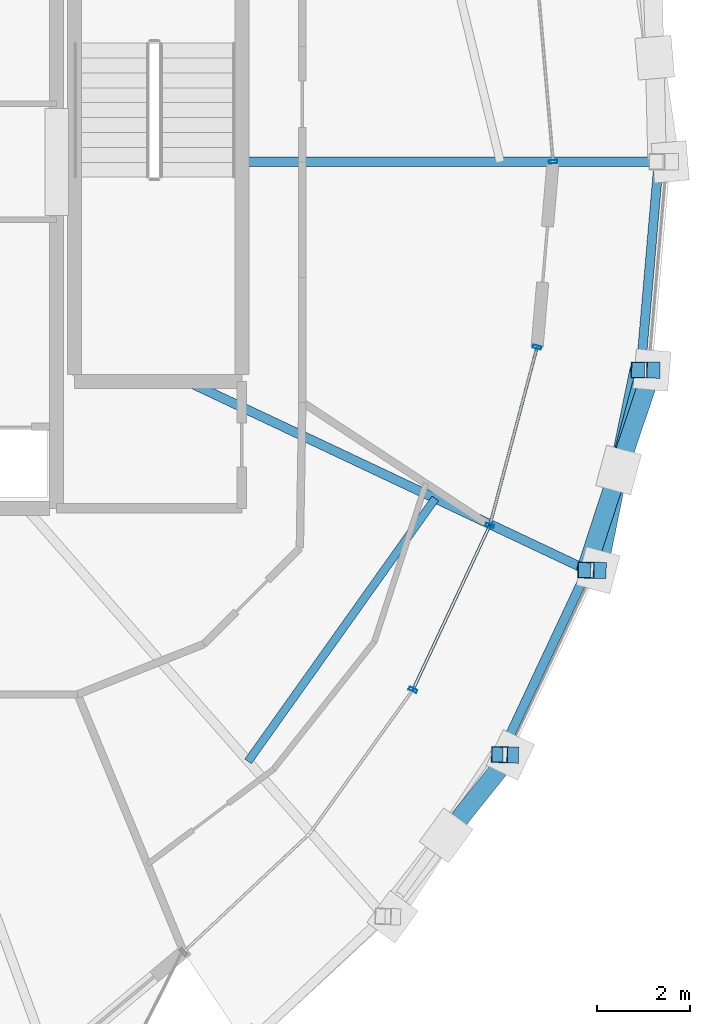
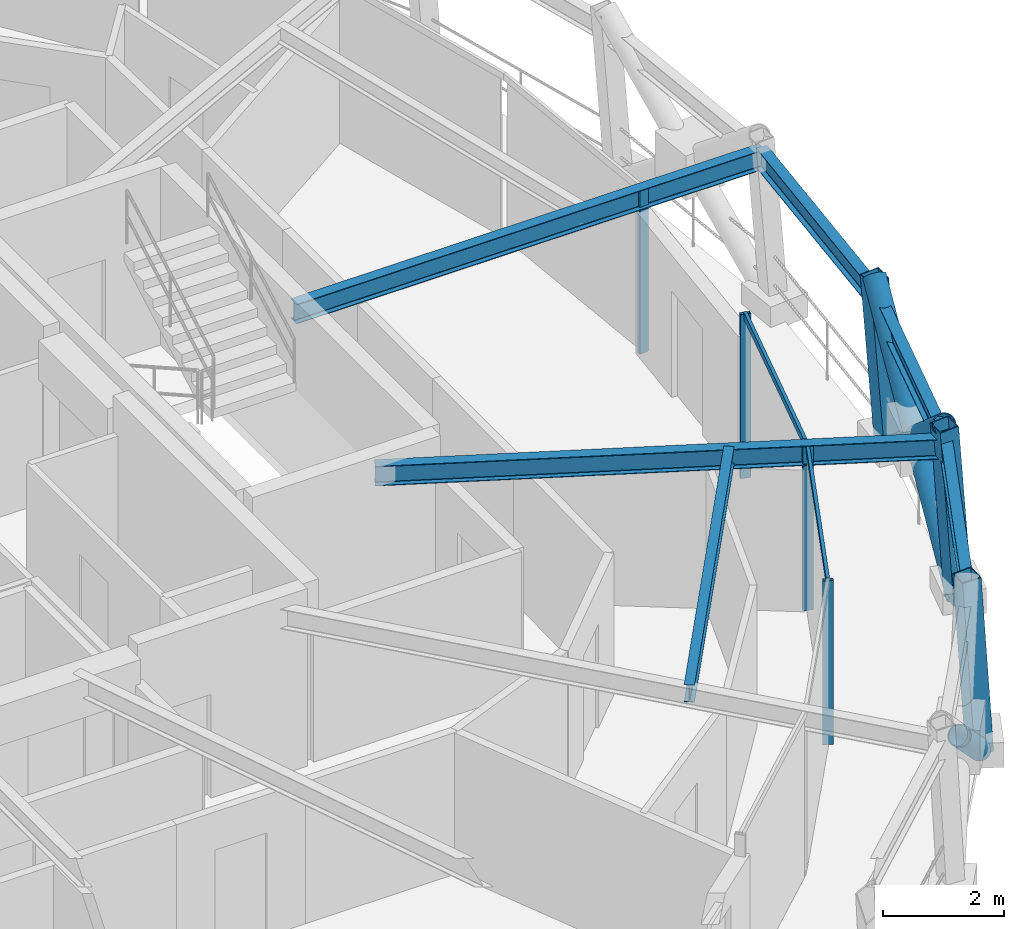
# One storey, part 4 of 16: 13 members, 6 beams, 2 elements without a shape of their own.
"""IFC4 building model written with IfcOpenShell, lengths in metres."""

from ifc_helpers import new_model, si_unit, direction, frame, origin, origin_2d, place, context, subcontext, project, spatial, hollow_rectangle, hollow_circle, i_section, extrude, material, layer, layer_set, material_profile, profile_set, type_object, element, aggregate, save


model = new_model("IFC4")

# Units and contexts
model_context = context("Model", 3, precision=1e-05, world=origin(), true_north=direction((0.0, 1.0)))
body_context = subcontext(model_context, "Body", "Model", "MODEL_VIEW")
ifc_project = project(units=[si_unit("LENGTHUNIT", "METRE"), si_unit("AREAUNIT", "SQUARE_METRE"), si_unit("VOLUMEUNIT", "CUBIC_METRE"), si_unit("PLANEANGLEUNIT", "RADIAN"), si_unit("MASSUNIT", "GRAM", prefix="KILO")], contexts=[model_context])

# Site, building, storey
site_placement = place(None, origin())
site = spatial("IfcSite", under=ifc_project, at=site_placement, CompositionType="ELEMENT")
building_placement = place(site_placement, origin())
building = spatial("IfcBuilding", under=site, at=building_placement, Name="Veldorina Hangang Commons", CompositionType="ELEMENT")
storey_placement = place(building_placement, frame((0.0, 0.0, 283.199951171875)))
storey = spatial("IfcBuildingStorey", under=building, at=storey_placement, Name="L74", CompositionType="ELEMENT", Elevation=283.199951171875)

# Beams
ifc_material_1 = material(Name="Steel SM355-TMC", Category="steel")
ifc_material_profile_1 = material_profile(ifc_material_1, i_section(OverallWidth=0.199951171875, OverallDepth=0.39990234375, WebThickness=0.008056640625, FlangeThickness=0.012939453125, FilletRadius=0.012939453125, at=origin_2d()), Name="H-400x200x8x13")
ifc_profile_set_1 = profile_set([ifc_material_profile_1], Name="Steel SM355-TMC")
beam_type_1 = type_object("IfcBeamType", Name="BM-FG400", PredefinedType="BEAM", material=ifc_profile_set_1)
beam_1_placement = place(storey_placement, frame((43.179931640625, 24.0, 3.16015625), z_axis=(1.0, 0.0, 0.0), x_axis=(0.0, 1.0, 0.0)))
element("IfcBeam", 1, at=beam_1_placement, inside=storey, type_object=beam_type_1, Name="L74 radial floor girder 01", PredefinedType="BEAM", context=body_context, shape_type="SweptSolid", body=[
    extrude(i_section(OverallWidth=0.199951171875, OverallDepth=0.39990234375, WebThickness=0.008056640625, FlangeThickness=0.012939453125, FilletRadius=0.012939453125, at=origin_2d()), origin(), (0.0, 0.0, 1.0), 8.960693359375),
])
beam_2_placement = place(storey_placement, frame((42.00537109375, 19.280029296875, 3.16015625), z_axis=(0.904409914249, -0.426664630603, 0.0), x_axis=(0.426664630603, 0.904409914249, 0.0)))
element("IfcBeam", 2, at=beam_2_placement, inside=storey, type_object=beam_type_1, Name="L74 radial floor girder 16", PredefinedType="BEAM", context=body_context, shape_type="SweptSolid", body=[
    extrude(i_section(OverallWidth=0.199951171875, OverallDepth=0.39990234375, WebThickness=0.008056640625, FlangeThickness=0.012939453125, FilletRadius=0.012939453125, at=origin_2d()), origin(), (0.0, 0.0, 1.0), 9.51123046875),
])
ifc_material_profile_2 = material_profile(ifc_material_1, i_section(OverallWidth=0.175048828125, OverallDepth=0.35009765625, WebThickness=0.007080078125, FlangeThickness=0.010986328125, FilletRadius=0.012939453125, at=origin_2d()), Name="H-350x175x7x11")
ifc_profile_set_2 = profile_set([ifc_material_profile_2], Name="Steel SM355-TMC")
beam_type_2 = type_object("IfcBeamType", Name="BM-JST350", PredefinedType="JOIST", material=ifc_profile_set_2)
beam_3_placement = place(storey_placement, frame((43.3154296875, 11.11279296875, 3.18505859375), z_axis=(0.579965735576, 0.814640869069, 0.0), x_axis=(-0.814640869069, 0.579965735576, 0.0)))
element("IfcBeam", 3, at=beam_3_placement, inside=storey, type_object=beam_type_2, Name="L74 secondary floor joist 15", PredefinedType="JOIST", context=body_context, shape_type="SweptSolid", body=[
    extrude(i_section(OverallWidth=0.175048828125, OverallDepth=0.35009765625, WebThickness=0.007080078125, FlangeThickness=0.010986328125, FilletRadius=0.012939453125, at=origin_2d()), origin(), (0.0, 0.0, 1.0), 6.93701171875),
])
ifc_material_profile_3 = material_profile(ifc_material_1, i_section(OverallWidth=0.199951171875, OverallDepth=0.39990234375, WebThickness=0.008056640625, FlangeThickness=0.012939453125, FilletRadius=0.012939453125, at=origin_2d()), Name="H-400x200x8x13")
ifc_profile_set_3 = profile_set([ifc_material_profile_3], Name="Steel SM355-TMC")
beam_type_3 = type_object("IfcBeamType", Name="BM-RB400", PredefinedType="BEAM", material=ifc_profile_set_3)
beam_4_placement = place(storey_placement, frame((48.74609375, 11.25634765625, 3.16015625), z_axis=(0.424895020661, 0.905242631242, 0.0), x_axis=(-0.905242631242, 0.424895020661, 0.0)))
element("IfcBeam", 4, at=beam_4_placement, inside=storey, type_object=beam_type_3, Name="L74 perimeter hoop ring beam 29", PredefinedType="BEAM", context=body_context, shape_type="SweptSolid", body=[
    extrude(i_section(OverallWidth=0.199951171875, OverallDepth=0.39990234375, WebThickness=0.008056640625, FlangeThickness=0.012939453125, FilletRadius=0.012939453125, at=origin_2d()), origin(), (0.0, 0.0, 1.0), 4.380615234375),
])
beam_5_placement = place(storey_placement, frame((50.607421875, 15.221923828125, 3.16015625), z_axis=(0.257406712374, 0.96630315348, 0.0), x_axis=(-0.96630315348, 0.257406712374, 0.0)))
element("IfcBeam", 5, at=beam_5_placement, inside=storey, type_object=beam_type_3, Name="L74 perimeter hoop ring beam 30", PredefinedType="BEAM", context=body_context, shape_type="SweptSolid", body=[
    extrude(i_section(OverallWidth=0.199951171875, OverallDepth=0.39990234375, WebThickness=0.008056640625, FlangeThickness=0.012939453125, FilletRadius=0.012939453125, at=origin_2d()), origin(), (0.0, 0.0, 1.0), 4.453125),
])
beam_6_placement = place(storey_placement, frame((51.753662109375, 19.52490234375, 3.16015625), z_axis=(0.086148795237, 0.996282281825, 0.0), x_axis=(-0.996282281825, 0.086148795237, 0.0)))
element("IfcBeam", 6, at=beam_6_placement, inside=storey, type_object=beam_type_3, Name="L74 perimeter hoop ring beam 31", PredefinedType="BEAM", context=body_context, shape_type="SweptSolid", body=[
    extrude(i_section(OverallWidth=0.199951171875, OverallDepth=0.39990234375, WebThickness=0.008056640625, FlangeThickness=0.012939453125, FilletRadius=0.012939453125, at=origin_2d()), origin(), (0.0, 0.0, 1.0), 4.49169921875),
])

# Curtain wall, member
ifc_material_2 = material(Name="Glass Low-E Selective", Category="glass")
ifc_layer = layer(ifc_material_2, 0.179931640625)
ifc_layer_set = layer_set([ifc_layer], Name="Glass Low-E Selective")
curtain_wall_type = type_object("IfcCurtainWallType", Name="CW-SYS-Z3", PredefinedType="NOTDEFINED", material=ifc_layer_set)
curtain_wall_1_placement = place(storey_placement, origin())
curtain_wall_1 = element("IfcCurtainWall", 7, at=curtain_wall_1_placement, inside=storey, type_object=curtain_wall_type, Name="L74 unitised curtain wall CW-L74-R1", PredefinedType="NOTDEFINED")
ifc_material_3 = material(Name="Aluminium Anodized AA6063-T6", Category="aluminium")
ifc_material_profile_4 = material_profile(ifc_material_3, hollow_rectangle(XDim=0.070068359375, YDim=0.179931640625, WallThickness=0.00390625, at=origin_2d()), Name="ALU-RHS-180x70x4")
ifc_profile_set_4 = profile_set([ifc_material_profile_4], Name="Aluminium Anodized AA6063-T6")
member_type_1 = type_object("IfcMemberType", Name="CW-MUL-180", PredefinedType="MULLION", material=ifc_profile_set_4)
member_1_placement = place(storey_placement, frame((49.86962890625, 24.0, 0.0), z_axis=(0.0, 0.0, 1.0), x_axis=(-0.08585165264, 0.996307931183, 0.0)))
member_1 = element("IfcMember", 8, at=member_1_placement, type_object=member_type_1, Name="CW-L74-R1 vertical mullion 1", PredefinedType="MULLION", context=body_context, shape_type="SweptSolid", body=[
    extrude(hollow_rectangle(XDim=0.070068359375, YDim=0.179931640625, WallThickness=0.00390625, at=origin_2d()), origin(), (0.0, 0.0, 1.0), 3.320068359375),
])
aggregate(curtain_wall_1, [member_1])

# Curtain wall, members
curtain_wall_2_placement = place(storey_placement, origin())
curtain_wall_2 = element("IfcCurtainWall", 9, at=curtain_wall_2_placement, inside=storey, type_object=curtain_wall_type, Name="L74 unitised curtain wall CW-L74-R2", PredefinedType="NOTDEFINED")
member_2_placement = place(storey_placement, frame((46.858154296875, 12.650390625, 0.0), z_axis=(0.0, 0.0, 1.0), x_axis=(0.42355130275, 0.905872117873, 0.0)))
member_2 = element("IfcMember", 10, at=member_2_placement, type_object=member_type_1, Name="CW-L74-R2 vertical mullion 2", PredefinedType="MULLION", context=body_context, shape_type="SweptSolid", body=[
    extrude(hollow_rectangle(XDim=0.070068359375, YDim=0.179931640625, WallThickness=0.00390625, at=origin_2d()), origin(), (0.0, 0.0, 1.0), 3.320068359375),
])
member_3_placement = place(storey_placement, frame((48.509521484375, 16.182373046875, 0.0), z_axis=(0.0, 0.0, 1.0), x_axis=(0.256458072772, 0.966555356361, 0.0)))
member_3 = element("IfcMember", 11, at=member_3_placement, type_object=member_type_1, Name="CW-L74-R2 vertical mullion 3", PredefinedType="MULLION", context=body_context, shape_type="SweptSolid", body=[
    extrude(hollow_rectangle(XDim=0.070068359375, YDim=0.179931640625, WallThickness=0.00390625, at=origin_2d()), origin(), (0.0, 0.0, 1.0), 3.320068359375),
])
member_4_placement = place(storey_placement, frame((49.5263671875, 20.0146484375, 0.0), z_axis=(0.0, 0.0, 1.0), x_axis=(-0.256458072772, -0.966555356361, 0.0)))
member_4 = element("IfcMember", 12, at=member_4_placement, type_object=member_type_1, Name="CW-L74-R2 vertical mullion 4", PredefinedType="MULLION", context=body_context, shape_type="SweptSolid", body=[
    extrude(hollow_rectangle(XDim=0.070068359375, YDim=0.179931640625, WallThickness=0.00390625, at=origin_2d()), origin(), (0.0, 0.0, 1.0), 3.320068359375),
])
ifc_material_profile_5 = material_profile(ifc_material_3, hollow_rectangle(XDim=0.06005859375, YDim=0.139892578125, WallThickness=0.00341796875, at=origin_2d()), Name="ALU-RHS-140x60x3.5")
ifc_profile_set_5 = profile_set([ifc_material_profile_5], Name="Aluminium Anodized AA6063-T6")
member_type_2 = type_object("IfcMemberType", Name="CW-TRN-140", PredefinedType="USERDEFINED", material=ifc_profile_set_5)
member_5_placement = place(storey_placement, frame((46.858154296875, 12.650390625, 3.280029296875), z_axis=(0.423540089093, 0.905877360867, 0.0), x_axis=(-0.905877360867, 0.423540089093, 0.0)))
member_5 = element("IfcMember", 13, at=member_5_placement, type_object=member_type_2, Name="CW-L74-R2 facet 3 transom 1", ObjectType="TRANSOM", PredefinedType="USERDEFINED", context=body_context, shape_type="SweptSolid", body=[
    extrude(hollow_rectangle(XDim=0.06005859375, YDim=0.139892578125, WallThickness=0.00341796875, at=origin_2d()), origin(), (0.0, 0.0, 1.0), 3.89892578125),
])
member_6_placement = place(storey_placement, frame((48.509521484375, 16.182373046875, 3.280029296875), z_axis=(0.256462875199, 0.966554082111, 0.0), x_axis=(-0.966554082111, 0.256462875199, 0.0)))
member_6 = element("IfcMember", 14, at=member_6_placement, type_object=member_type_2, Name="CW-L74-R2 facet 4 transom 1", ObjectType="TRANSOM", PredefinedType="USERDEFINED", context=body_context, shape_type="SweptSolid", body=[
    extrude(hollow_rectangle(XDim=0.06005859375, YDim=0.139892578125, WallThickness=0.00341796875, at=origin_2d()), origin(), (0.0, 0.0, 1.0), 3.96484375),
])
aggregate(curtain_wall_2, [member_2, member_3, member_4, member_5, member_6])

# Members
ifc_material_profile_6 = material_profile(ifc_material_1, hollow_circle(Radius=0.199951171875, WallThickness=0.02001953125, at=origin_2d()), Name="CHS-400x20")
ifc_profile_set_6 = profile_set([ifc_material_profile_6], Name="Steel SM355-TMC")
member_type_3 = type_object("IfcMemberType", Name="DG-CHS400", PredefinedType="BRACE", material=ifc_profile_set_6)
member_7_placement = place(storey_placement, frame((48.953369140625, 11.25048828125, 0.0), z_axis=(-0.483924673438, -0.60576022858, 0.631562709403), x_axis=(0.781298662557, -0.624157351865, 0.0)))
element("IfcMember", 15, at=member_7_placement, inside=storey, type_object=member_type_3, Name="L74 split perimeter diagrid lower brace 29", PredefinedType="BRACE", context=body_context, shape_type="SweptSolid", body=[
    extrude(hollow_circle(Radius=0.199951171875, WallThickness=0.02001953125, at=origin_2d()), origin(), (0.0, 0.0, 1.0), 2.857421875),
])
member_8_placement = place(storey_placement, frame((50.837646484375, 15.218017578125, 0.0), z_axis=(0.155182114243, 0.757995028125, 0.633531411026), x_axis=(-0.97967998185, 0.200567029102, 0.0)))
element("IfcMember", 16, at=member_8_placement, inside=storey, type_object=member_type_3, Name="L74 continuous perimeter diagrid brace 30", PredefinedType="BRACE", context=body_context, shape_type="SweptSolid", body=[
    extrude(hollow_circle(Radius=0.199951171875, WallThickness=0.02001953125, at=origin_2d()), origin(), (0.0, 0.0, 1.0), 5.6826171875),
])
member_9_placement = place(storey_placement, frame((51.997802734375, 19.52294921875, 0.0), z_axis=(-0.248334551402, -0.742473930422, 0.622143402459), x_axis=(0.948359681958, -0.317196963472, 0.0)))
element("IfcMember", 17, at=member_9_placement, inside=storey, type_object=member_type_3, Name="L74 split perimeter diagrid lower brace 31", PredefinedType="BRACE", context=body_context, shape_type="SweptSolid", body=[
    extrude(hollow_circle(Radius=0.199951171875, WallThickness=0.02001953125, at=origin_2d()), origin(), (0.0, 0.0, 1.0), 2.895263671875),
])
member_10_placement = place(storey_placement, frame((51.27880859375, 17.373291015625, 1.80126953125), z_axis=(-0.243327298273, -0.744002141787, 0.622296262991), x_axis=(0.950459161018, -0.310849454296, 0.0)))
element("IfcMember", 18, at=member_10_placement, inside=storey, type_object=member_type_3, Name="L74 split perimeter diagrid upper brace 31", PredefinedType="BRACE", context=body_context, shape_type="SweptSolid", body=[
    extrude(hollow_circle(Radius=0.199951171875, WallThickness=0.02001953125, at=origin_2d()), origin(), (0.0, 0.0, 1.0), 2.890625),
])
ifc_material_profile_7 = material_profile(ifc_material_1, hollow_rectangle(XDim=0.35009765625, YDim=0.35009765625, WallThickness=0.01611328125, at=origin_2d()), Name="SHS-350x350x16")
ifc_profile_set_7 = profile_set([ifc_material_profile_7], Name="Steel SM355-TMC")
member_type_4 = type_object("IfcMemberType", Name="STR-SHS350", PredefinedType="STRUT", material=ifc_profile_set_7)
member_11_placement = place(storey_placement, frame((48.953369140625, 11.25048828125, 0.0), z_axis=(-0.065436447107, 0.001827077634, 0.997855066218), x_axis=(-0.027910528938, -0.999610425303, 0.0)))
element("IfcMember", 19, at=member_11_placement, inside=storey, type_object=member_type_4, Name="L74 perimeter ring node post 29", PredefinedType="STRUT", context=body_context, shape_type="SweptSolid", body=[
    extrude(hollow_rectangle(XDim=0.35009765625, YDim=0.35009765625, WallThickness=0.01611328125, at=origin_2d()), origin(), (0.0, 0.0, 1.0), 3.60791015625),
])
member_12_placement = place(storey_placement, frame((50.837646484375, 15.218017578125, 0.0), z_axis=(-0.072640836823, 0.001285079981, 0.997357336863), x_axis=(-0.017688107552, -0.999843553188, 0.0)))
element("IfcMember", 20, at=member_12_placement, inside=storey, type_object=member_type_4, Name="L74 perimeter ring node post 30", PredefinedType="STRUT", context=body_context, shape_type="SweptSolid", body=[
    extrude(hollow_rectangle(XDim=0.35009765625, YDim=0.35009765625, WallThickness=0.01611328125, at=origin_2d()), origin(), (0.0, 0.0, 1.0), 3.609619140625),
])
member_13_placement = place(storey_placement, frame((51.997802734375, 19.52294921875, 0.0), z_axis=(-0.077079087068, 0.000676132343, 0.997024752542), x_axis=(-0.008771592358, -0.999961528844, 0.0)))
element("IfcMember", 21, at=member_13_placement, inside=storey, type_object=member_type_4, Name="L74 perimeter ring node post 31", PredefinedType="STRUT", context=body_context, shape_type="SweptSolid", body=[
    extrude(hollow_rectangle(XDim=0.35009765625, YDim=0.35009765625, WallThickness=0.01611328125, at=origin_2d()), origin(), (0.0, 0.0, 1.0), 3.61083984375),
])

save(model, "model.ifc")
